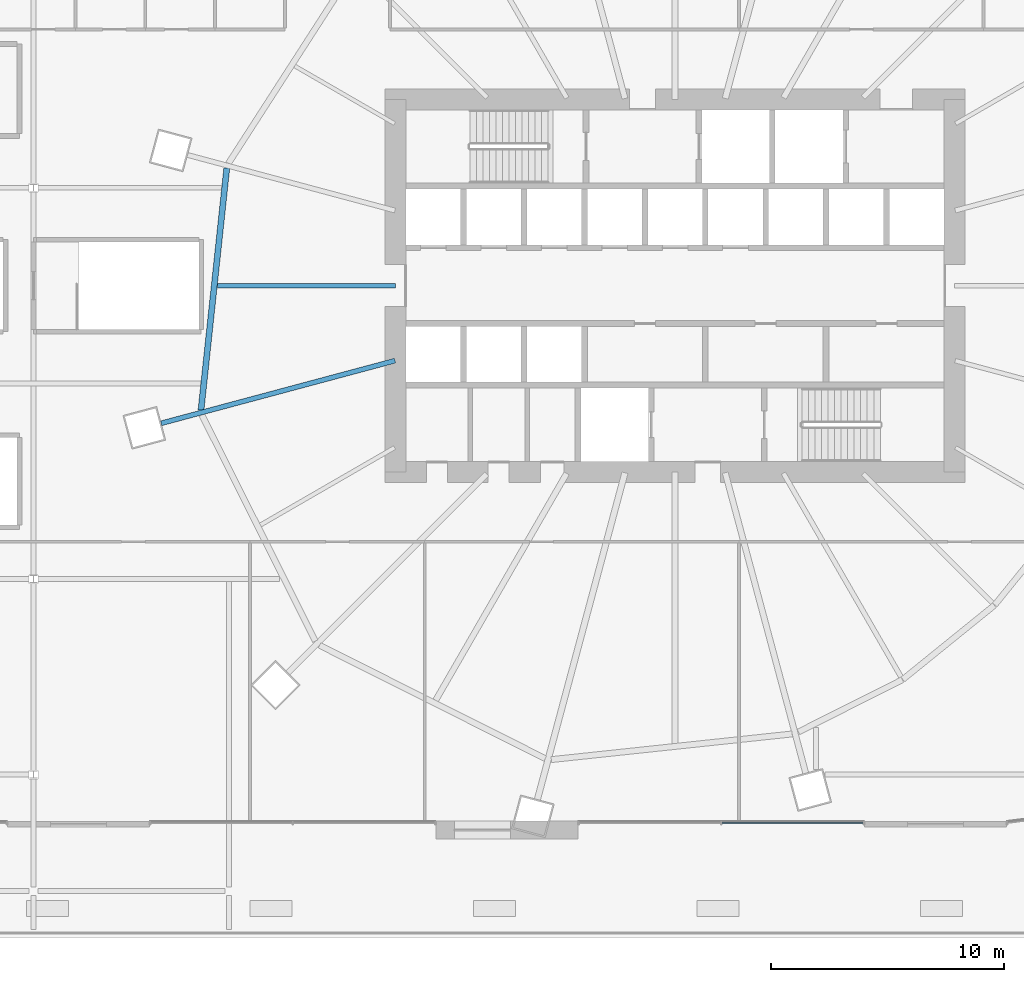
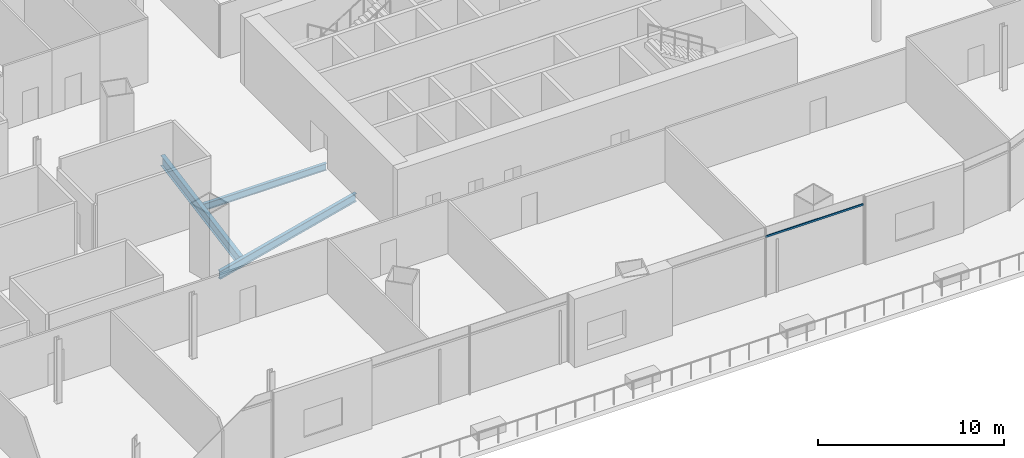
# One storey, part 22 of 49: 3 beams, 1 member, 1 element without a shape of its own.
"""IFC4 building model written with IfcOpenShell, lengths in metres."""

import ifcopenshell
import ifcopenshell.guid

model = None  # the IFC model being written
_history = None  # IfcOwnerHistory: only IFC2X3 demands one
_inside = {}  # id of a spatial element -> (the spatial element, [elements in it])
_under = {}  # id of a project, library or spatial element -> (it, [spatial elements below it])
_declared = {}  # id of a project -> (the project, [libraries it declares])
_typed = {}  # id of a type object -> (the type object, [elements of that type])
_made_of = {}  # id of a material, layer set ... -> (it, [elements and type objects made of it])


def new_model(schema):
    """Start an empty IFC model of exactly this schema.

    Asked for "IFC4X3", IfcOpenShell would pick the latest addendum, in which some entities
    have other attributes; the version numbers below select the first issue.
    IFC2X3 requires an IfcOwnerHistory on every rooted entity: one is made here for all.
    """
    global model, _history
    if schema == "IFC4X3":
        model = ifcopenshell.file(schema_version=(4, 3, 0, 0))
    else:
        model = ifcopenshell.file(schema=schema)
    _inside.clear()
    _under.clear()
    _declared.clear()
    _typed.clear()
    _made_of.clear()
    _history = None
    if model.schema == "IFC2X3":
        org = make("IfcOrganization", Name="unknown")
        user = make(
            "IfcPersonAndOrganization",
            ThePerson=make("IfcPerson", FamilyName="unknown"),
            TheOrganization=org,
        )
        app = make(
            "IfcApplication",
            ApplicationDeveloper=org,
            Version="unknown",
            ApplicationFullName="unknown",
            ApplicationIdentifier="unknown",
        )
        _history = make(
            "IfcOwnerHistory",
            OwningUser=user,
            OwningApplication=app,
            ChangeAction="ADDED",
            CreationDate=0,
        )
    return model


def make(cls, **values):
    """One entity of the class cls with the attributes given. An attribute that is None is left unset."""
    return model.create_entity(
        cls, **{name: value for name, value in values.items() if value is not None}
    )


def rooted(cls, **values):
    """An entity with a GlobalId (a new one), such as an element, a storey or a relation."""
    return make(cls, GlobalId=ifcopenshell.guid.new(), OwnerHistory=_history, **values)


def si_unit(unit_type, name, prefix=None):
    """IfcSIUnit, for example si_unit("LENGTHUNIT", "METRE", prefix="MILLI")."""
    return make("IfcSIUnit", UnitType=unit_type, Prefix=prefix, Name=name)


def assignment(units):
    """IfcUnitAssignment: the units of a project."""
    return None if units is None else make("IfcUnitAssignment", Units=units)


def point(xyz):
    """IfcCartesianPoint."""
    return None if xyz is None else make("IfcCartesianPoint", Coordinates=xyz)


def direction(xyz):
    """IfcDirection."""
    return None if xyz is None else make("IfcDirection", DirectionRatios=xyz)


def frame(location, z_axis=None, x_axis=None):
    """IfcAxis2Placement3D, a coordinate frame: its origin and axes. An axis left out is left unset."""
    return make(
        "IfcAxis2Placement3D",
        Location=point(location),
        Axis=direction(z_axis),
        RefDirection=direction(x_axis),
    )


def frame_2d(location, x_axis=None):
    """IfcAxis2Placement2D, a coordinate frame in the plane: its origin and x axis."""
    return make(
        "IfcAxis2Placement2D", Location=point(location), RefDirection=direction(x_axis)
    )


def origin():
    """The frame at (0, 0, 0) with its axes left unset."""
    return frame((0.0, 0.0, 0.0))


def origin_2d():
    """The frame at (0, 0) in the plane with its x axis left unset."""
    return frame_2d((0.0, 0.0))


def place(relative_to, where):
    """IfcLocalPlacement: puts the frame where relative to a parent placement (None: the world)."""
    return make(
        "IfcLocalPlacement", PlacementRelTo=relative_to, RelativePlacement=where
    )


def context(
    kind, dimensions, precision=None, world=None, true_north=None, identifier=None
):
    """IfcGeometricRepresentationContext, for example the 3D "Model" context."""
    return make(
        "IfcGeometricRepresentationContext",
        ContextIdentifier=identifier,
        ContextType=kind,
        CoordinateSpaceDimension=dimensions,
        Precision=precision,
        WorldCoordinateSystem=world,
        TrueNorth=true_north,
    )


def subcontext(parent, identifier, kind, view, scale=None):
    """IfcGeometricRepresentationSubContext, for example "Body" below "Model"."""
    return make(
        "IfcGeometricRepresentationSubContext",
        ContextIdentifier=identifier,
        ContextType=kind,
        ParentContext=parent,
        TargetScale=scale,
        TargetView=view,
    )


def project(units=None, contexts=None):
    """IfcProject with its units and contexts."""
    return rooted(
        "IfcProject",
        Name="project",
        RepresentationContexts=contexts,
        UnitsInContext=assignment(units),
    )


def spatial(cls, under=None, at=None, **own):
    """A site, building, storey or space (cls), placed at a placement, below another one or the project."""
    s = rooted(cls, ObjectPlacement=at, **own)
    if under is not None:
        _under.setdefault(under.id(), (under, []))[1].append(s)
    return s


def profile(cls, at=None, kind="AREA", **sizes):
    """A parametric profile (cls). Its sizes go by their IFC names, for example OverallWidth=200.0."""
    return make(cls, ProfileType=kind, Position=at, **sizes)


def rectangle(**sizes):
    """IfcRectangleProfileDef."""
    return profile("IfcRectangleProfileDef", **sizes)


def i_section(**sizes):
    """IfcIShapeProfileDef."""
    return profile("IfcIShapeProfileDef", **sizes)


def extrude(swept, where, along, depth):
    """IfcExtrudedAreaSolid: the profile swept, set in the frame where, extruded along a direction by depth."""
    return make(
        "IfcExtrudedAreaSolid",
        SweptArea=swept,
        Position=where,
        ExtrudedDirection=direction(along),
        Depth=depth,
    )


def shape(context_of_items, identifier, shape_type, items):
    """IfcShapeRepresentation: the items that make up one representation, for example the "Body"."""
    return make(
        "IfcShapeRepresentation",
        ContextOfItems=context_of_items,
        RepresentationIdentifier=identifier,
        RepresentationType=shape_type,
        Items=items,
    )


def material(Name=None, Category=None):
    """IfcMaterial."""
    return make("IfcMaterial", Name=Name, Category=Category)


def material_profile(
    of_material, cross_section, Name=None, Category=None, Priority=None
):
    """IfcMaterialProfile: a cross section and its material."""
    return make(
        "IfcMaterialProfile",
        Name=Name,
        Material=of_material,
        Profile=cross_section,
        Priority=Priority,
        Category=Category,
    )


def profile_set(profiles, Name=None, composite=None):
    """IfcMaterialProfileSet."""
    return make(
        "IfcMaterialProfileSet",
        Name=Name,
        MaterialProfiles=profiles,
        CompositeProfile=composite,
    )


def made_of(thing, what):
    """Note that an element or type object is made of a material, layer set ...; save() writes the relation."""
    if what is not None:
        _made_of.setdefault(what.id(), (what, []))[1].append(thing)
    return thing


def type_object(cls, material=None, **own):
    """A type object (cls), such as IfcWallType, which elements share."""
    return made_of(rooted(cls, **own), material)


def element(
    cls,
    number,
    at=None,
    inside=None,
    cuts=None,
    type_object=None,
    material=None,
    context=None,
    identifier="Body",
    shape_type=None,
    held_by="IfcProductDefinitionShape",
    body=None,
    shapes=None,
    **own,
):
    """One element of the class cls, such as IfcWall. Its Tag is "e" and its number.

    at: its placement. inside: the storey or other place that contains it. cuts: it is an
    opening in that element (IfcRelVoidsElement). A single representation is given by context,
    identifier, shape_type and body (its items); several are given by shapes. held_by: the class
    of the entity that holds the representations. save() writes the other relations.
    """
    e = rooted(cls, Tag="e%d" % number, ObjectPlacement=at, **own)
    if body is not None:
        shapes = [shape(context, identifier, shape_type, body)]
    if shapes is not None:
        e.Representation = make(held_by, Representations=shapes)
    if inside is not None:
        _inside.setdefault(inside.id(), (inside, []))[1].append(e)
    if cuts is not None:
        rooted(
            "IfcRelVoidsElement", RelatingBuildingElement=cuts, RelatedOpeningElement=e
        )
    if type_object is not None:
        _typed.setdefault(type_object.id(), (type_object, []))[1].append(e)
    return made_of(e, material)


def aggregate(whole, parts):
    """IfcRelAggregates: a whole, such as a stair, and the parts it consists of."""
    return rooted("IfcRelAggregates", RelatingObject=whole, RelatedObjects=parts)


def save(model, path):
    """Write the relations noted so far, then the file.

    IfcRelAggregates (storeys below a building ...), IfcRelContainedInSpatialStructure (elements
    in a storey), IfcRelDefinesByType, IfcRelAssociatesMaterial and IfcRelDeclares: one each for
    every whole, place, type object, material and project.
    """
    for whole, parts in _under.values():
        aggregate(whole, parts)
    for where, things in _inside.values():
        rooted(
            "IfcRelContainedInSpatialStructure",
            RelatedElements=things,
            RelatingStructure=where,
        )
    for kind, things in _typed.values():
        rooted("IfcRelDefinesByType", RelatedObjects=things, RelatingType=kind)
    for what, things in _made_of.values():
        rooted("IfcRelAssociatesMaterial", RelatedObjects=things, RelatingMaterial=what)
    for by, libraries in _declared.values():
        rooted("IfcRelDeclares", RelatingContext=by, RelatedDefinitions=libraries)
    model.write(path)


model = new_model("IFC4")

# Units and contexts
model_context = context("Model", 3, precision=1e-05, world=origin(), true_north=direction((0.0, 1.0)))
body_context = subcontext(model_context, "Body", "Model", "MODEL_VIEW")
ifc_project = project(units=[si_unit("LENGTHUNIT", "METRE"), si_unit("AREAUNIT", "SQUARE_METRE"), si_unit("VOLUMEUNIT", "CUBIC_METRE"), si_unit("PLANEANGLEUNIT", "RADIAN"), si_unit("MASSUNIT", "GRAM", prefix="KILO")], contexts=[model_context])

# Site, building, storey
site_placement = place(None, origin())
site = spatial("IfcSite", under=ifc_project, at=site_placement, CompositionType="ELEMENT")
building_placement = place(site_placement, origin())
building = spatial("IfcBuilding", under=site, at=building_placement, Name="Rimbun Link Towers", CompositionType="ELEMENT")
storey_placement = place(building_placement, frame((0.0, 0.0, 25.5)))
storey = spatial("IfcBuildingStorey", under=building, at=storey_placement, Name="L05", CompositionType="ELEMENT", Elevation=25.5)

# Curtain wall, member
ifc_material_1 = material(Name="Aluminium 6063-T6 and low-iron glass", Category="aluminium")
curtain_wall_type = type_object("IfcCurtainWallType", Name="CW3 podium shopfront", PredefinedType="NOTDEFINED", material=ifc_material_1)
curtain_wall_placement = place(storey_placement, origin())
curtain_wall = element("IfcCurtainWall", 1, at=curtain_wall_placement, inside=storey, type_object=curtain_wall_type, Name="CW3 L05 PD", PredefinedType="NOTDEFINED")
ifc_material_2 = material(Name="Aluminium 6063-T6", Category="aluminium")
ifc_material_profile_1 = material_profile(ifc_material_2, rectangle(XDim=0.06005859375, YDim=0.1201171875, at=origin_2d()), Name="TRANSOM 60X120")
ifc_profile_set_1 = profile_set([ifc_material_profile_1], Name="Aluminium 6063-T6")
member_type = type_object("IfcMemberType", Name="CW3 transom 60X120", PredefinedType="USERDEFINED", material=ifc_profile_set_1)
member_placement = place(storey_placement, frame((39.836669921875, -23.053955078125, 3.89990234375), z_axis=(-1.0, 0.0, 0.0), x_axis=(0.0, -1.0, 0.0)))
member = element("IfcMember", 2, at=member_placement, type_object=member_type, Name="CW3 transom", ObjectType="TRANSOM", PredefinedType="USERDEFINED", context=body_context, shape_type="SweptSolid", body=[
    extrude(rectangle(XDim=0.06005859375, YDim=0.1201171875, at=origin_2d()), origin(), (0.0, 0.0, 1.0), 6.0732421875),
])
aggregate(curtain_wall, [member])

# Beams
ifc_material_3 = material(Name="Steel S355J2", Category="steel")
ifc_material_profile_2 = material_profile(ifc_material_3, i_section(OverallWidth=0.18994140625, OverallDepth=0.453369140625, WebThickness=0.008544921875, FlangeThickness=0.0126953125, at=origin_2d()), Name="UB 457x191x67")
ifc_profile_set_2 = profile_set([ifc_material_profile_2], Name="Steel S355J2")
beam_type_1 = type_object("IfcBeamType", Name="UB 457x191x67", PredefinedType="BEAM", material=ifc_profile_set_2)
beam_1_placement = place(storey_placement, frame((19.7490234375, 0.0, -0.526611328125), z_axis=(-1.0, 0.0, 0.0), x_axis=(0.0, -1.0, 0.0)))
element("IfcBeam", 3, at=beam_1_placement, inside=storey, type_object=beam_type_1, Name="Radial beam T2 L05 09", PredefinedType="BEAM", context=body_context, shape_type="SweptSolid", body=[
    extrude(i_section(OverallWidth=0.18994140625, OverallDepth=0.453369140625, WebThickness=0.008544921875, FlangeThickness=0.0126953125, at=origin_2d()), origin(), (0.0, 0.0, 1.0), 7.65771484375),
])
ifc_material_4 = material(Name="Steel S355J2", Category="steel")
ifc_material_profile_3 = material_profile(ifc_material_4, i_section(OverallWidth=0.209228515625, OverallDepth=0.533203125, WebThickness=0.010009765625, FlangeThickness=0.015625, at=origin_2d()), Name="UB 533x210x92")
ifc_profile_set_3 = profile_set([ifc_material_profile_3], Name="Steel S355J2")
beam_type_2 = type_object("IfcBeamType", Name="UB 533x210x92", PredefinedType="BEAM", material=ifc_profile_set_3)
beam_2_placement = place(storey_placement, frame((19.721923828125, -3.222900390625, -0.56640625), z_axis=(-0.965924246626, -0.258824940413, 0.0), x_axis=(0.258824940413, -0.965924246626, 0.0)))
element("IfcBeam", 4, at=beam_2_placement, inside=storey, type_object=beam_type_2, Name="Radial beam T2 L05 10", PredefinedType="BEAM", context=body_context, shape_type="SweptSolid", body=[
    extrude(i_section(OverallWidth=0.209228515625, OverallDepth=0.533203125, WebThickness=0.010009765625, FlangeThickness=0.015625, at=origin_2d()), origin(), (0.0, 0.0, 1.0), 10.391845703125),
])
ifc_material_5 = material(Name="Steel S355J2", Category="steel")
ifc_material_profile_4 = material_profile(ifc_material_5, i_section(OverallWidth=0.253662109375, OverallDepth=0.68359375, WebThickness=0.012451171875, FlangeThickness=0.01904296875, at=origin_2d()), Name="UB 686x254x140")
ifc_profile_set_4 = profile_set([ifc_material_profile_4], Name="Steel S355J2")
beam_type_3 = type_object("IfcBeamType", Name="UB 686x254x140", PredefinedType="BEAM", material=ifc_profile_set_4)
beam_3_placement = place(storey_placement, frame((12.50048828125, 5.048583984375, -0.641845703125), z_axis=(-0.105900549099, -0.994376726246, 0.0), x_axis=(0.994376726246, -0.105900549099, 0.0)))
element("IfcBeam", 5, at=beam_3_placement, inside=storey, type_object=beam_type_3, Name="Edge beam T2 L05 08-10", PredefinedType="BEAM", context=body_context, shape_type="SweptSolid", body=[
    extrude(i_section(OverallWidth=0.253662109375, OverallDepth=0.68359375, WebThickness=0.012451171875, FlangeThickness=0.01904296875, at=origin_2d()), origin(), (0.0, 0.0, 1.0), 10.45263671875),
])

save(model, "model.ifc")
